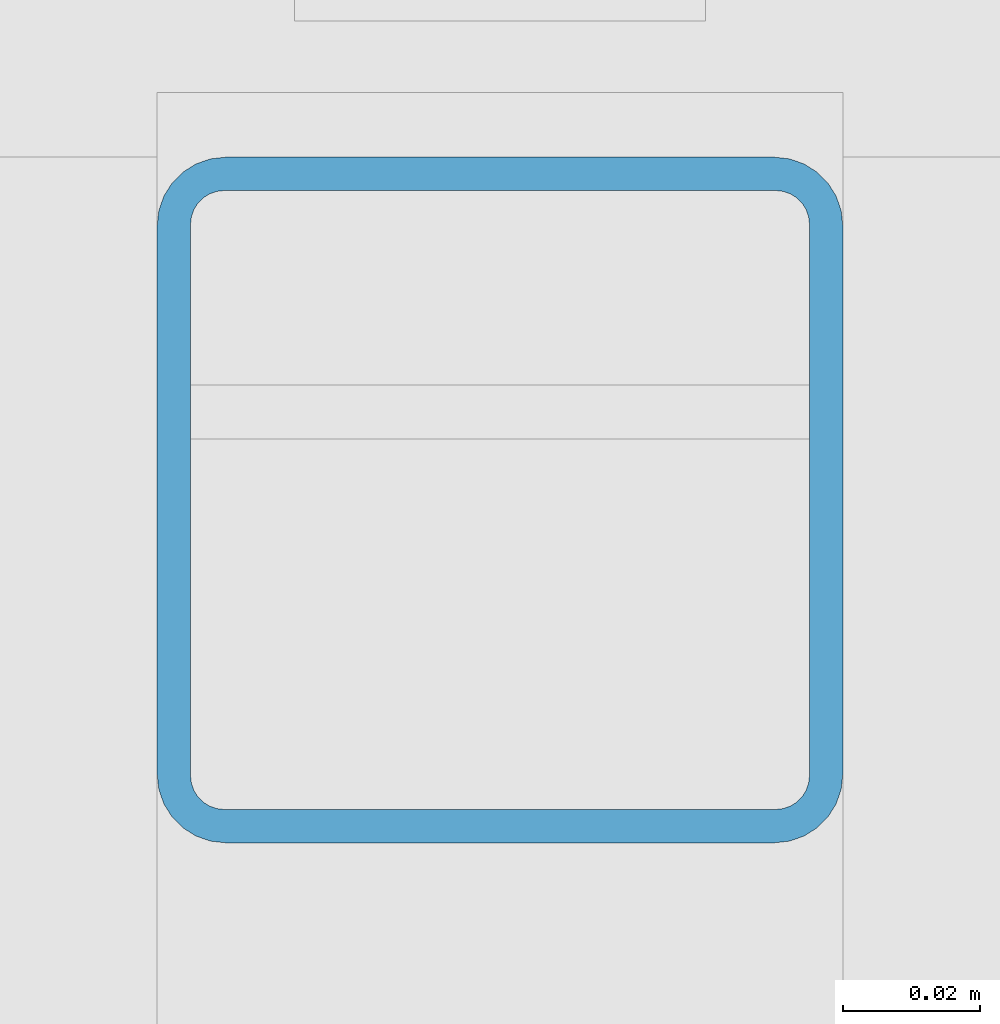
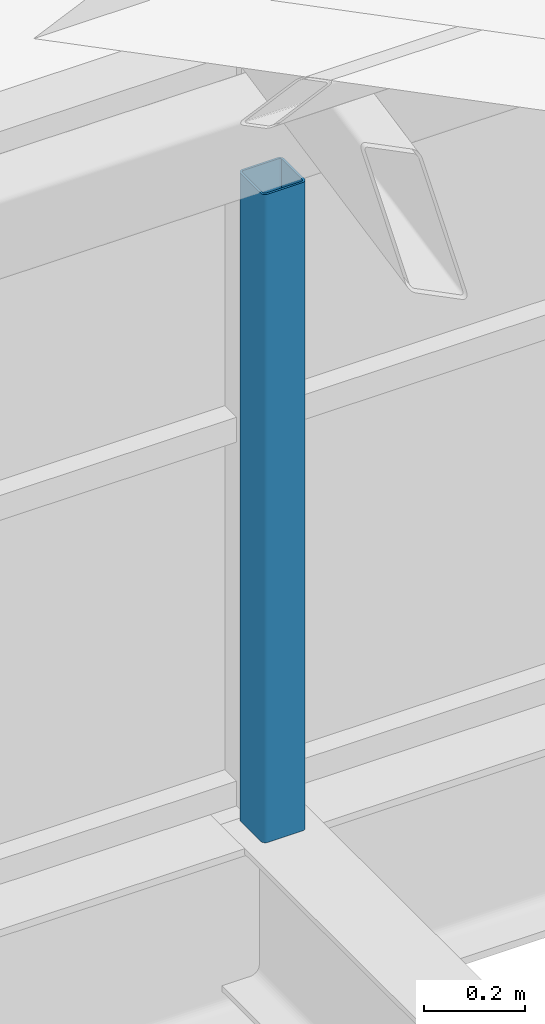
# One storey, part 10 of 121: 1 member.
"""IFC4 building model written with IfcOpenShell, lengths in metres."""

from ifc_helpers import new_model, si_unit, direction, frame, origin, origin_2d, place, context, subcontext, project, spatial, hollow_rectangle, extrude, material, material_profile, profile_set, type_object, element, save


model = new_model("IFC4")

# Units and contexts
model_context = context("Model", 3, precision=1e-05, world=origin(), true_north=direction((0.0, 1.0)))
body_context = subcontext(model_context, "Body", "Model", "MODEL_VIEW")
ifc_project = project(units=[si_unit("LENGTHUNIT", "METRE"), si_unit("AREAUNIT", "SQUARE_METRE"), si_unit("VOLUMEUNIT", "CUBIC_METRE"), si_unit("PLANEANGLEUNIT", "RADIAN"), si_unit("MASSUNIT", "GRAM", prefix="KILO")], contexts=[model_context])

# Site, building, storey
site_placement = place(None, origin())
site = spatial("IfcSite", under=ifc_project, at=site_placement, CompositionType="ELEMENT")
building_placement = place(site_placement, origin())
building = spatial("IfcBuilding", under=site, at=building_placement, Name="Ardhachandra Cancer Care Centre", CompositionType="ELEMENT")
storey_placement = place(building_placement, frame((0.0, 0.0, 9.0)))
storey = spatial("IfcBuildingStorey", under=building, at=storey_placement, Name="L02", CompositionType="ELEMENT", Elevation=9.0)

# Member
ifc_material = material(Name="Steel E350 (IS 2062)", Category="steel")
ifc_material_profile = material_profile(ifc_material, hollow_rectangle(XDim=0.10009765625, YDim=0.10009765625, WallThickness=0.0048828125, InnerFilletRadius=0.0048828125, OuterFilletRadius=0.010009765625, at=origin_2d()), Name="SHS 100x100x5.0")
ifc_profile_set = profile_set([ifc_material_profile], Name="Steel E350 (IS 2062)")
member_type = type_object("IfcMemberType", Name="Sawtooth ridge post SHS 100x100x5.0", PredefinedType="POST", material=ifc_profile_set)
member_placement = place(storey_placement, frame((27.60009765625, 37.75, 0.0), z_axis=(0.0, 0.0, 1.0), x_axis=(1.0, 0.0, 0.0)))
element("IfcMember", 1, at=member_placement, inside=storey, type_object=member_type, Name="Ridge post T1a.2", PredefinedType="POST", context=body_context, shape_type="SweptSolid", body=[
    extrude(hollow_rectangle(XDim=0.10009765625, YDim=0.10009765625, WallThickness=0.0048828125, InnerFilletRadius=0.0048828125, OuterFilletRadius=0.010009765625, at=origin_2d()), origin(), (0.0, 0.0, 1.0), 1.5673828125),
])

save(model, "model.ifc")
